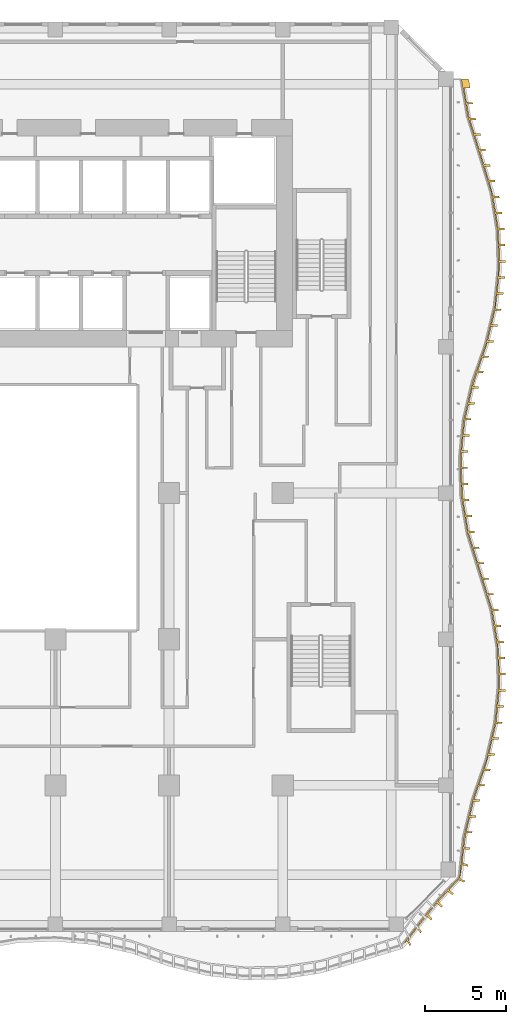
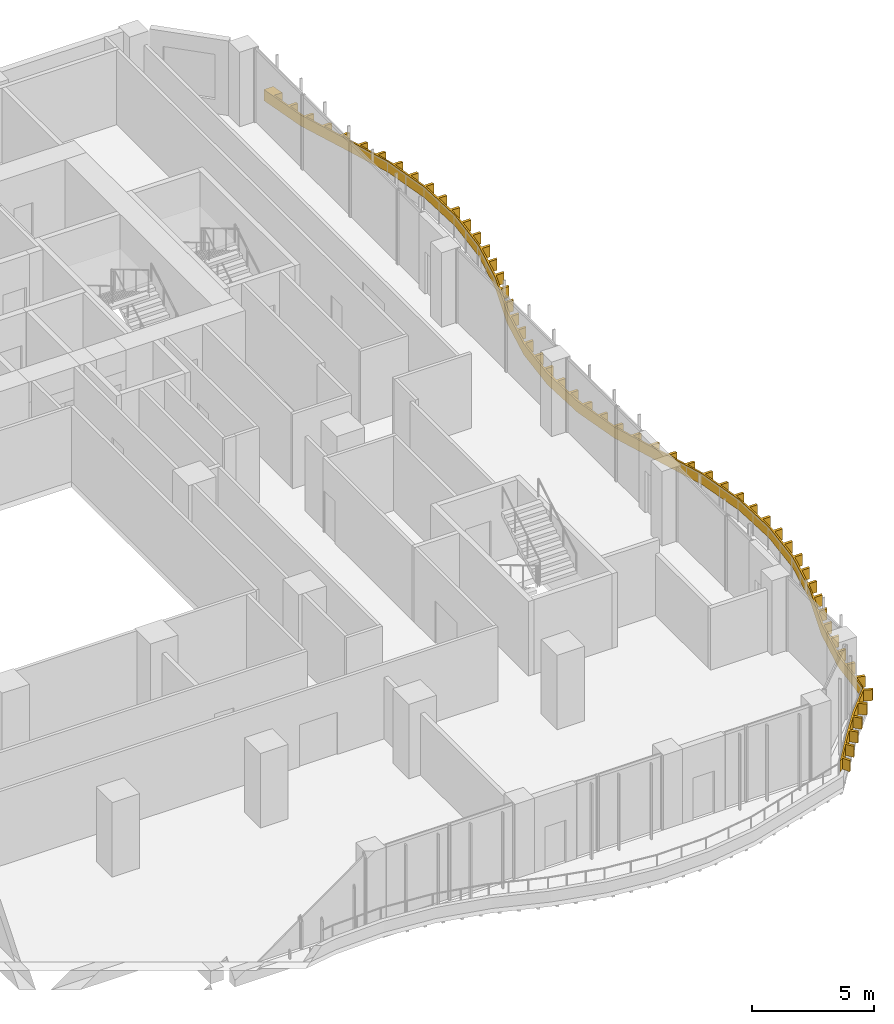
# One storey, part 22 of 25: 1 shading device.
"""IFC4 building model written with IfcOpenShell, lengths in metres."""

from ifc_helpers import new_model, si_unit, direction, frame, origin, place, context, subcontext, project, spatial, polyline, outline, extrude, source, transform, mapped, material, layer, layer_set, type_object, element, save


model = new_model("IFC4")

# Units and contexts
model_context = context("Model", 3, precision=1e-05, world=origin(), true_north=direction((0.0, 1.0)))
body_context = subcontext(model_context, "Body", "Model", "MODEL_VIEW")
ifc_project = project(units=[si_unit("LENGTHUNIT", "METRE"), si_unit("AREAUNIT", "SQUARE_METRE"), si_unit("VOLUMEUNIT", "CUBIC_METRE"), si_unit("PLANEANGLEUNIT", "RADIAN"), si_unit("MASSUNIT", "GRAM", prefix="KILO")], contexts=[model_context])

# Site, building, storey
site_placement = place(None, origin())
site = spatial("IfcSite", under=ifc_project, at=site_placement, CompositionType="ELEMENT")
building_placement = place(site_placement, origin())
building = spatial("IfcBuilding", under=site, at=building_placement, Name="Kilnfold Tower and Market Hall", CompositionType="ELEMENT")
storey_placement = place(building_placement, frame((0.0, 0.0, 39.0)))
storey = spatial("IfcBuildingStorey", under=building, at=storey_placement, Name="L08", CompositionType="ELEMENT", Elevation=39.0)

# Shading device
ifc_material = material(Name="Bronze anodised aluminium", Category="aluminium")
ifc_layer = layer(ifc_material, 0.550048828125)
ifc_layer_set = layer_set([ifc_layer], Name="Bronze anodised aluminium")
shading_device_type = type_object("IfcShadingDeviceType", Name="BRONZE SLAT FASCIA 550", PredefinedType="USERDEFINED", material=ifc_layer_set)
shared_shape = source(origin(), body_context, "Body", "SweptSolid", [
    extrude(outline(polyline([(25.32470703125, -28.90869140625), (25.156494140625, -28.582763671875), (24.964599609375, -28.716796875), (26.0908203125, -27.257568359375), (27.136474609375, -25.969970703125), (28.3798828125, -24.657470703125), (28.648681640625, -22.166748046875), (29.205810546875, -19.833251953125), (30.01611328125, -17.5), (30.56298828125, -15.166748046875), (30.791015625, -12.833251953125), (30.71240234375, -10.5), (30.322509765625, -8.166748046875), (28.87744140625, -3.5), (28.48779296875, -1.166748046875), (28.408935546875, 1.166748046875), (28.636962890625, 3.5), (29.18408203125, 5.833251953125), (29.994140625, 8.166748046875), (30.55126953125, 10.5), (30.788818359375, 12.833251953125), (30.71923828125, 15.166748046875), (30.339111328125, 17.5), (29.627197265625, 19.833251953125), (28.894287109375, 22.166748046875), (28.494873046875, 24.5), (28.94482421875, 24.5), (29.041748046875, 23.93408203125), (28.671875, 23.93408203125), (28.8203125, 23.066650390625), (29.190185546875, 23.066650390625), (29.21044921875, 22.948486328125), (28.840576171875, 22.948486328125), (29.000244140625, 22.083740234375), (29.370361328125, 22.083740234375), (29.40625, 21.96923828125), (29.036376953125, 21.96923828125), (29.300048828125, 21.1298828125), (29.669921875, 21.1298828125), (29.705810546875, 21.015380859375), (29.3359375, 21.015380859375), (29.599609375, 20.17578125), (29.969482421875, 20.17578125), (30.005615234375, 20.061279296875), (29.635498046875, 20.061279296875), (29.894287109375, 19.22021484375), (30.26416015625, 19.22021484375), (30.29931640625, 19.105224609375), (29.92919921875, 19.105224609375), (30.18603515625, 18.263671875), (30.55615234375, 18.263671875), (30.591064453125, 18.14892578125), (30.22119140625, 18.14892578125), (30.451416015625, 17.301025390625), (30.821533203125, 17.301025390625), (30.8408203125, 17.1826171875), (30.470703125, 17.1826171875), (30.6123046875, 16.31396484375), (30.982421875, 16.31396484375), (31.001708984375, 16.195556640625), (30.631591796875, 16.195556640625), (30.773193359375, 15.326904296875), (31.14306640625, 15.326904296875), (31.162353515625, 15.20849609375), (30.79248046875, 15.20849609375), (30.82421875, 14.32958984375), (31.194091796875, 14.32958984375), (31.19775390625, 14.209716796875), (30.82763671875, 14.209716796875), (30.85400390625, 13.330078125), (31.223876953125, 13.330078125), (31.2275390625, 13.2099609375), (30.857421875, 13.2099609375), (30.81787109375, 12.332763671875), (31.187744140625, 12.332763671875), (31.175537109375, 12.21337890625), (30.8056640625, 12.21337890625), (30.716552734375, 11.337890625), (31.08642578125, 11.337890625), (31.07421875, 11.218505859375), (30.704345703125, 11.218505859375), (30.594482421875, 10.3466796875), (30.964599609375, 10.3466796875), (30.936767578125, 10.229736328125), (30.566650390625, 10.229736328125), (30.3623046875, 9.373779296875), (30.732421875, 9.373779296875), (30.70458984375, 9.257080078125), (30.33447265625, 9.257080078125), (30.130126953125, 8.401123046875), (30.5, 8.401123046875), (30.47216796875, 8.284423828125), (30.102294921875, 8.284423828125), (29.8251953125, 7.44970703125), (30.1953125, 7.44970703125), (30.156005859375, 7.33642578125), (29.785888671875, 7.33642578125), (29.497314453125, 6.505126953125), (29.8671875, 6.505126953125), (29.827880859375, 6.3916015625), (29.4580078125, 6.3916015625), (29.1982421875, 5.552001953125), (29.568115234375, 5.552001953125), (29.540771484375, 5.435302734375), (29.1708984375, 5.435302734375), (28.969970703125, 4.57861328125), (29.33984375, 4.57861328125), (29.3125, 4.461669921875), (28.9423828125, 4.461669921875), (28.74169921875, 3.60498046875), (29.111572265625, 3.60498046875), (29.085693359375, 3.48779296875), (28.7158203125, 3.48779296875), (28.630126953125, 2.61181640625), (29.000244140625, 2.61181640625), (28.988525390625, 2.492431640625), (28.61865234375, 2.492431640625), (28.532958984375, 1.61669921875), (28.903076171875, 1.61669921875), (28.891357421875, 1.497314453125), (28.521240234375, 1.497314453125), (28.507568359375, 0.619140625), (28.87744140625, 0.619140625), (28.881591796875, 0.499267578125), (28.511474609375, 0.499267578125), (28.541259765625, -0.38037109375), (28.9111328125, -0.38037109375), (28.915283203125, -0.500244140625), (28.545166015625, -0.500244140625), (28.602783203125, -1.376953125), (28.972900390625, -1.376953125), (28.99267578125, -1.495361328125), (28.62255859375, -1.495361328125), (28.767578125, -2.36328125), (29.1376953125, -2.36328125), (29.157470703125, -2.481689453125), (28.787353515625, -2.481689453125), (28.932373046875, -3.349609375), (29.302490234375, -3.349609375), (29.322021484375, -3.468017578125), (28.9521484375, -3.468017578125), (29.208251953125, -4.3095703125), (29.578125, -4.3095703125), (29.61376953125, -4.42431640625), (29.24365234375, -4.42431640625), (29.50390625, -5.264892578125), (29.8740234375, -5.264892578125), (29.909423828125, -5.37939453125), (29.53955078125, -5.37939453125), (29.7998046875, -6.22021484375), (30.169921875, -6.22021484375), (30.205322265625, -6.334716796875), (29.835205078125, -6.334716796875), (30.095458984375, -7.17529296875), (30.465576171875, -7.17529296875), (30.5009765625, -7.2900390625), (30.131103515625, -7.2900390625), (30.391357421875, -8.130615234375), (30.76123046875, -8.130615234375), (30.7724609375, -8.166748046875), (30.785888671875, -8.247802734375), (30.416015625, -8.247802734375), (30.56103515625, -9.11572265625), (30.93115234375, -9.11572265625), (30.95068359375, -9.234130859375), (30.580810546875, -9.234130859375), (30.725830078125, -10.10205078125), (31.095703125, -10.10205078125), (31.115478515625, -10.220458984375), (30.74560546875, -10.220458984375), (30.8125, -11.09619140625), (31.182373046875, -11.09619140625), (31.1865234375, -11.21630859375), (30.81640625, -11.21630859375), (30.84619140625, -12.095703125), (31.216064453125, -12.095703125), (31.22021484375, -12.215576171875), (30.85009765625, -12.215576171875), (30.845458984375, -13.093994140625), (31.215576171875, -13.093994140625), (31.203857421875, -13.21337890625), (30.833984375, -13.21337890625), (30.748291015625, -14.08935546875), (31.118408203125, -14.08935546875), (31.106689453125, -14.208740234375), (30.736572265625, -14.208740234375), (30.65087890625, -15.08447265625), (31.02099609375, -15.08447265625), (31.012939453125, -15.166748046875), (31.00439453125, -15.203125), (30.634521484375, -15.203125), (30.43359375, -16.059814453125), (30.8037109375, -16.059814453125), (30.776123046875, -16.1767578125), (30.40625, -16.1767578125), (30.205322265625, -17.033447265625), (30.575439453125, -17.033447265625), (30.548095703125, -17.150390625), (30.177978515625, -17.150390625), (29.92529296875, -17.9921875), (30.295166015625, -17.9921875), (30.255859375, -18.10546875), (29.8857421875, -18.10546875), (29.59716796875, -18.936767578125), (29.96728515625, -18.936767578125), (29.927734375, -19.050048828125), (29.557861328125, -19.050048828125), (29.274169921875, -19.8828125), (29.64404296875, -19.8828125), (29.6162109375, -19.99951171875), (29.24609375, -19.99951171875), (29.041748046875, -20.85546875), (29.411865234375, -20.85546875), (29.384033203125, -20.97216796875), (29.013916015625, -20.97216796875), (28.8095703125, -21.828125), (29.1796875, -21.828125), (29.15185546875, -21.94482421875), (28.78173828125, -21.94482421875), (28.65771484375, -22.802978515625), (29.022216796875, -22.8388671875), (29.00830078125, -22.962646484375), (28.644775390625, -22.919921875), (28.55078125, -23.77880859375), (28.905029296875, -23.869873046875), (28.890869140625, -23.99365234375), (28.538330078125, -23.89599609375), (28.407470703125, -24.737060546875), (28.74658203125, -24.883056640625), (28.661376953125, -24.975830078125), (28.32666015625, -24.822021484375), (27.737060546875, -25.44580078125), (28.03515625, -25.65673828125), (27.94970703125, -25.74951171875), (27.656982421875, -25.531005859375), (27.076904296875, -26.169189453125), (27.338623046875, -26.430908203125), (27.262939453125, -26.524169921875), (27.00146484375, -26.262451171875), (26.446533203125, -26.945556640625), (26.708251953125, -27.207275390625), (26.632568359375, -27.30029296875), (26.37109375, -27.038818359375), (25.830078125, -27.71826171875), (26.06298828125, -28.00146484375), (25.98388671875, -28.0986328125), (25.7578125, -27.810791015625), (25.228759765625, -28.489990234375), (25.40380859375, -28.8115234375), (25.32470703125, -28.90869140625)])), origin(), (0.0, 0.0, 1.0), 0.550048828125),
])
shading_device_placement = place(storey_placement, frame((0.0, 0.0, 0.550048828125)))
element("IfcShadingDevice", 1, at=shading_device_placement, inside=storey, type_object=shading_device_type, Name="Balcony slat fascia L08", ObjectType="SLAT", PredefinedType="USERDEFINED", context=body_context, shape_type="MappedRepresentation", body=[
    mapped(shared_shape, transform((0.0, 0.0, 0.0))),
])

save(model, "model.ifc")
